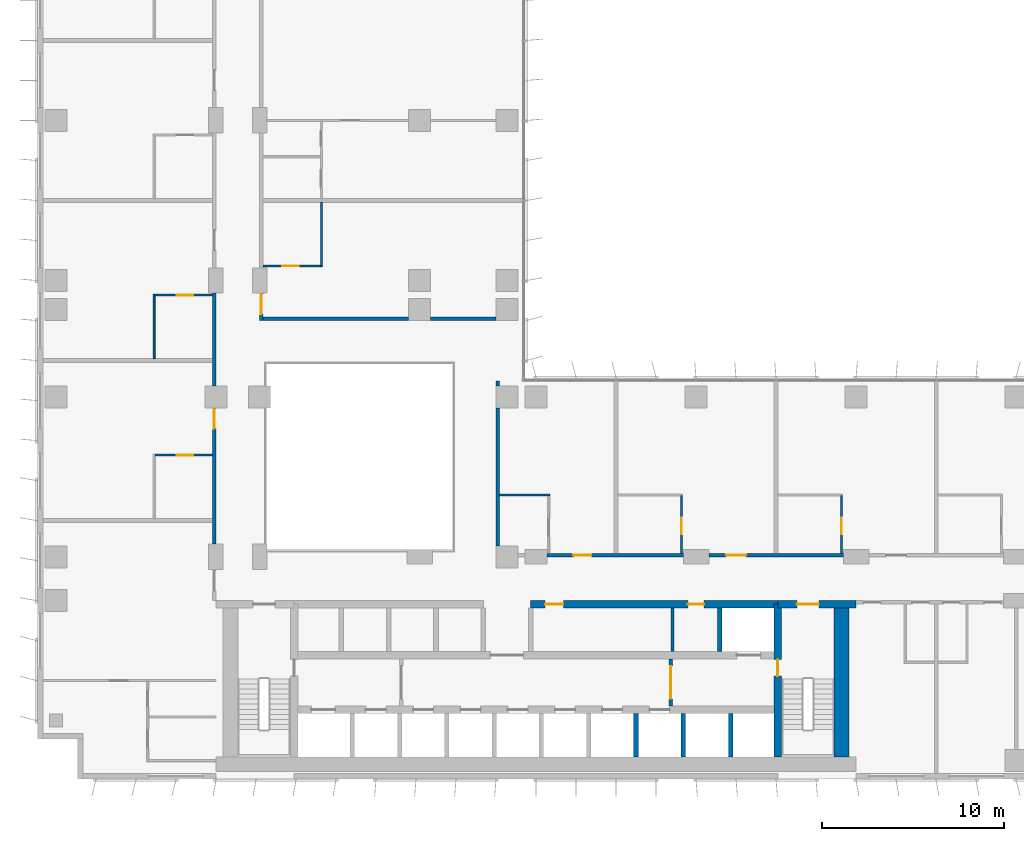
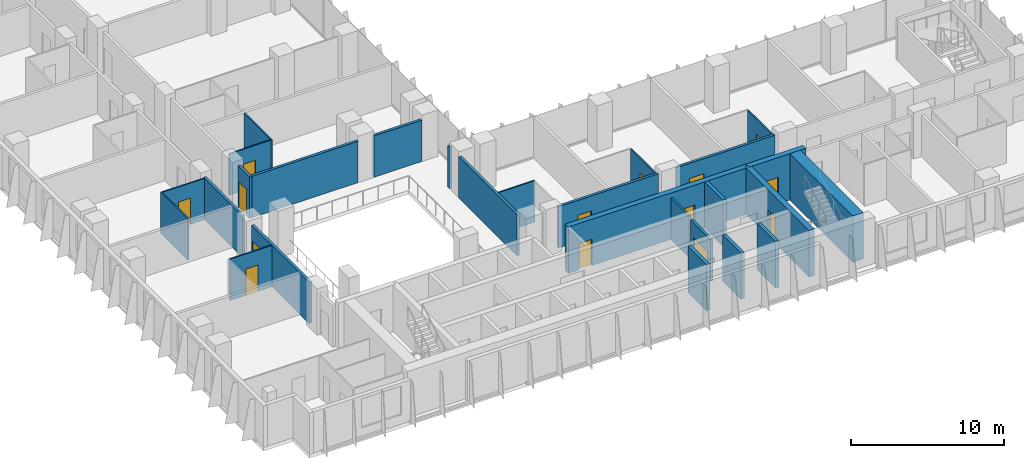
# One storey, part 13 of 22: 27 walls, 14 doors, 14 openings.
"""IFC4 building model written with IfcOpenShell, lengths in metres."""

from ifc_helpers import new_model, si_unit, direction, frame, frame_2d, origin, place, context, subcontext, project, spatial, rectangle, extrude, material, layer, layer_set, type_object, element, fill, save


model = new_model("IFC4")

# Units and contexts
model_context = context("Model", 3, precision=1e-05, world=origin(), true_north=direction((0.0, 1.0)))
body_context = subcontext(model_context, "Body", "Model", "MODEL_VIEW")
ifc_project = project(units=[si_unit("LENGTHUNIT", "METRE"), si_unit("AREAUNIT", "SQUARE_METRE"), si_unit("VOLUMEUNIT", "CUBIC_METRE"), si_unit("PLANEANGLEUNIT", "RADIAN"), si_unit("MASSUNIT", "GRAM", prefix="KILO")], contexts=[model_context])

# Site, building, storey
site_placement = place(None, origin())
site = spatial("IfcSite", under=ifc_project, at=site_placement, CompositionType="ELEMENT")
building_placement = place(site_placement, origin())
building = spatial("IfcBuilding", under=site, at=building_placement, Name="Kemantara Hotel Tower", CompositionType="ELEMENT")
storey_placement = place(building_placement, frame((0.0, 0.0, 98.199951171875)))
storey = spatial("IfcBuildingStorey", under=building, at=storey_placement, Name="L23", CompositionType="ELEMENT", Elevation=98.199951171875)

# Walls
ifc_material_1 = material(Name="Concrete fc 70 MPa", Category="concrete")
ifc_layer_1 = layer(ifc_material_1, 0.25)
ifc_layer_set_1 = layer_set([ifc_layer_1], Name="Concrete fc 70 MPa")
wall_type_1 = type_object("IfcWallType", Name="CORE WALL 250 FC70", PredefinedType="SHEAR", material=ifc_layer_set_1)
for number, where, z_axis, x_axis, name in (
    (1, (32.89990234375, 1.199951171875, 0.0), (0.0, 0.0, 1.0), (0.0, 1.0, 0.0), "CORE WALL CW-DS32.9"),
    (2, (35.5, 1.199951171875, 0.0), (0.0, 0.0, 1.0), (0.0, 1.0, 0.0), "CORE WALL CW-DS35.5"),
    (3, (38.10009765625, 1.199951171875, 0.0), (0.0, 0.0, 1.0), (0.0, 1.0, 0.0), "CORE WALL CW-DS38.1"),
):
    element("IfcWall", number, at=place(storey_placement, frame(where, z_axis=z_axis, x_axis=x_axis)), inside=storey, type_object=wall_type_1, Name=name, PredefinedType="SHEAR", context=body_context, shape_type="SweptSolid", body=[
        extrude(rectangle(XDim=2.400146484375, YDim=0.25, at=frame_2d((1.2001953125, 0.0))), origin(), (0.0, 0.0, 1.0), 3.699951171875),
    ])
wall_1_placement = place(storey_placement, frame((37.5, 7.0, 0.0), z_axis=(0.0, 0.0, 1.0), x_axis=(0.0, 1.0, 0.0)))
element("IfcWall", 4, at=wall_1_placement, inside=storey, type_object=wall_type_1, Name="CORE WALL CW-DN37.5", PredefinedType="SHEAR", context=body_context, shape_type="SweptSolid", body=[
    extrude(rectangle(XDim=2.39990234375, YDim=0.25, at=frame_2d((1.199951171875, 0.0))), origin(), (0.0, 0.0, 1.0), 3.699951171875),
])

# Wall, opening, door
ifc_layer_2 = layer(ifc_material_1, 0.39990234375)
ifc_layer_set_2 = layer_set([ifc_layer_2], Name="Concrete fc 70 MPa")
wall_type_2 = type_object("IfcWallType", Name="CORE WALL 400 FC70", PredefinedType="SHEAR", material=ifc_layer_set_2)
wall_2_placement = place(storey_placement, frame((40.699951171875, 9.60009765625, 0.0), z_axis=(0.0, 0.0, 1.0), x_axis=(1.0, 0.0, 0.0)))
wall_2 = element("IfcWall", 5, at=wall_2_placement, inside=storey, type_object=wall_type_2, Name="CORE WALL CW-N2", PredefinedType="SHEAR", context=body_context, shape_type="SweptSolid", body=[
    extrude(rectangle(XDim=4.300048828125, YDim=0.39990234375, at=frame_2d((2.14990234375, 0.0))), origin(), (0.0, 0.0, 1.0), 3.699951171875),
])
opening_1_placement = place(wall_2_placement, frame((1.050048828125, 0.0, 0.0)))
opening_1 = element("IfcOpeningElement", 6, at=opening_1_placement, cuts=wall_2, Name="Opening C16-ST2-C", PredefinedType="OPENING", context=body_context, shape_type="SweptSolid", body=[
    extrude(rectangle(XDim=1.199951171875, YDim=2.10009765625, at=frame_2d((0.60009765625, 1.050048828125))), frame((0.0, 0.2099609375, 0.0), z_axis=(0.0, -1.0, 0.0), x_axis=(1.0, 0.0, 0.0)), (0.0, 0.0, 1.0), 0.419921875),
])
ifc_material_2 = material(Name="Steel fire door", Category="steel")
door_type_1 = type_object("IfcDoorType", Name="Fire door FD90 1200 x 2100", OperationType="NOTDEFINED", PredefinedType="DOOR", material=ifc_material_2)
door_1_placement = place(opening_1_placement, frame((1.199951171875, 0.0, 0.0), z_axis=(0.0, 0.0, 1.0), x_axis=(-1.0, 0.0, 0.0)))
door_1 = element("IfcDoor", 7, at=door_1_placement, inside=storey, type_object=door_type_1, Name="Stair ST2 door to corridor", OperationType="SINGLE_SWING_RIGHT", OverallHeight=2.10009765625, OverallWidth=1.199951171875, PredefinedType="DOOR", context=body_context, shape_type="SweptSolid", body=[
    extrude(rectangle(XDim=1.199951171875, YDim=2.10009765625, at=frame_2d((0.60009765625, 1.050048828125))), frame((0.0, 0.02490234375, 0.0), z_axis=(0.0, -1.0, 0.0), x_axis=(1.0, 0.0, 0.0)), (0.0, 0.0, 1.0), 0.050048828125),
])
fill(opening_1, door_1)

# Wall, openings, doors
wall_3_placement = place(storey_placement, frame((27.10009765625, 9.60009765625, 0.0), z_axis=(0.0, 0.0, 1.0), x_axis=(1.0, 0.0, 0.0)))
wall_3 = element("IfcWall", 8, at=wall_3_placement, inside=storey, type_object=wall_type_2, Name="CORE WALL CW-NN2", PredefinedType="SHEAR", context=body_context, shape_type="SweptSolid", body=[
    extrude(rectangle(XDim=13.599853515625, YDim=0.39990234375, at=frame_2d((6.7998046875, 0.0))), origin(), (0.0, 0.0, 1.0), 3.699951171875),
])
opening_2_placement = place(wall_3_placement, frame((0.800048828125, 0.0, 0.0)))
opening_2 = element("IfcOpeningElement", 9, at=opening_2_placement, cuts=wall_3, Name="Opening C16-R-NE1", PredefinedType="OPENING", context=body_context, shape_type="SweptSolid", body=[
    extrude(rectangle(XDim=1.0, YDim=2.10009765625, at=frame_2d((0.5, 1.050048828125))), frame((0.0, 0.2099609375, 0.0), z_axis=(0.0, -1.0, 0.0), x_axis=(1.0, 0.0, 0.0)), (0.0, 0.0, 1.0), 0.419921875),
])
opening_3_placement = place(wall_3_placement, frame((8.64990234375, 0.0, 0.0)))
opening_3 = element("IfcOpeningElement", 10, at=opening_3_placement, cuts=wall_3, Name="Opening C16-R-NE2", PredefinedType="OPENING", context=body_context, shape_type="SweptSolid", body=[
    extrude(rectangle(XDim=0.89990234375, YDim=2.10009765625, at=frame_2d((0.449951171875, 1.050048828125))), frame((0.0, 0.2099609375, 0.0), z_axis=(0.0, -1.0, 0.0), x_axis=(1.0, 0.0, 0.0)), (0.0, 0.0, 1.0), 0.419921875),
])
door_type_2 = type_object("IfcDoorType", Name="Fire door FD30S 1000 x 2100", OperationType="NOTDEFINED", PredefinedType="DOOR", material=ifc_material_2)
door_2_placement = place(opening_2_placement, frame((1.0, 0.0, 0.0), z_axis=(0.0, 0.0, 1.0), x_axis=(-1.0, 0.0, 0.0)))
door_2 = element("IfcDoor", 11, at=door_2_placement, inside=storey, type_object=door_type_2, Name="Linen Store door", OperationType="SINGLE_SWING_RIGHT", OverallHeight=2.10009765625, OverallWidth=1.0, PredefinedType="DOOR", context=body_context, shape_type="SweptSolid", body=[
    extrude(rectangle(XDim=1.0, YDim=2.10009765625, at=frame_2d((0.5, 1.050048828125))), frame((0.0, 0.02490234375, 0.0), z_axis=(0.0, -1.0, 0.0), x_axis=(1.0, 0.0, 0.0)), (0.0, 0.0, 1.0), 0.050048828125),
])
fill(opening_2, door_2)
door_type_3 = type_object("IfcDoorType", Name="Fire door FD60 900 x 2100", OperationType="NOTDEFINED", PredefinedType="DOOR", material=ifc_material_2)
door_3_placement = place(opening_3_placement, frame((0.89990234375, 0.0, 0.0), z_axis=(0.0, 0.0, 1.0), x_axis=(-1.0, 0.0, 0.0)))
door_3 = element("IfcDoor", 12, at=door_3_placement, inside=storey, type_object=door_type_3, Name="It Equipment Room door", OperationType="SINGLE_SWING_LEFT", OverallHeight=2.10009765625, OverallWidth=0.89990234375, PredefinedType="DOOR", context=body_context, shape_type="SweptSolid", body=[
    extrude(rectangle(XDim=0.89990234375, YDim=2.10009765625, at=frame_2d((0.449951171875, 1.050048828125))), frame((0.0, 0.02490234375, 0.0), z_axis=(0.0, -1.0, 0.0), x_axis=(1.0, 0.0, 0.0)), (0.0, 0.0, 1.0), 0.050048828125),
])
fill(opening_3, door_3)

# Wall, opening, door
wall_4_placement = place(storey_placement, frame((40.699951171875, 1.199951171875, 0.0), z_axis=(0.0, 0.0, 1.0), x_axis=(0.0, 1.0, 0.0)))
wall_4 = element("IfcWall", 13, at=wall_4_placement, inside=storey, type_object=wall_type_2, Name="CORE WALL CW-ST2W", PredefinedType="SHEAR", context=body_context, shape_type="SweptSolid", body=[
    extrude(rectangle(XDim=8.400146484375, YDim=0.39990234375, at=frame_2d((4.2001953125, 0.0))), origin(), (0.0, 0.0, 1.0), 3.699951171875),
])
opening_4_placement = place(wall_4_placement, frame((4.449951171875, 0.0, 0.0)))
opening_4 = element("IfcOpeningElement", 14, at=opening_4_placement, cuts=wall_4, Name="Opening C16-ST2-F", PredefinedType="OPENING", context=body_context, shape_type="SweptSolid", body=[
    extrude(rectangle(XDim=0.89990234375, YDim=2.10009765625, at=frame_2d((0.449951171875, 1.050048828125))), frame((0.0, 0.2099609375, 0.0), z_axis=(0.0, -1.0, 0.0), x_axis=(1.0, 0.0, 0.0)), (0.0, 0.0, 1.0), 0.419921875),
])
door_type_4 = type_object("IfcDoorType", Name="Fire door FD90 900 x 2100", OperationType="NOTDEFINED", PredefinedType="DOOR", material=ifc_material_2)
door_4_placement = place(opening_4_placement, frame((0.89990234375, 0.0, 0.0), z_axis=(0.0, 0.0, 1.0), x_axis=(-1.0, 0.0, 0.0)))
door_4 = element("IfcDoor", 15, at=door_4_placement, inside=storey, type_object=door_type_4, Name="Stair ST2 door to firefighting lobby", OperationType="SINGLE_SWING_LEFT", OverallHeight=2.10009765625, OverallWidth=0.89990234375, PredefinedType="DOOR", context=body_context, shape_type="SweptSolid", body=[
    extrude(rectangle(XDim=0.89990234375, YDim=2.10009765625, at=frame_2d((0.449951171875, 1.050048828125))), frame((0.0, 0.02490234375, 0.0), z_axis=(0.0, -1.0, 0.0), x_axis=(1.0, 0.0, 0.0)), (0.0, 0.0, 1.0), 0.050048828125),
])
fill(opening_4, door_4)

# Wall
ifc_layer_3 = layer(ifc_material_1, 0.800048828125)
ifc_layer_set_3 = layer_set([ifc_layer_3], Name="Concrete fc 70 MPa")
wall_type_3 = type_object("IfcWallType", Name="CORE WALL 800 FC70", PredefinedType="SHEAR", material=ifc_layer_set_3)
wall_5_placement = place(storey_placement, frame((44.199951171875, 1.199951171875, 0.0), z_axis=(0.0, 0.0, 1.0), x_axis=(0.0, 1.0, 0.0)))
element("IfcWall", 16, at=wall_5_placement, inside=storey, type_object=wall_type_3, Name="CORE WALL CW-E", PredefinedType="SHEAR", context=body_context, shape_type="SweptSolid", body=[
    extrude(rectangle(XDim=8.60009765625, YDim=0.800048828125, at=frame_2d((4.300048828125, 0.0))), origin(), (0.0, 0.0, 1.0), 3.699951171875),
])

# Wall, opening, door
ifc_material_3 = material(Name="Gypsum board partition, steel studs and mineral wool, 200 mm", Category="steel")
ifc_layer_4 = layer(ifc_material_3, 0.199951171875)
ifc_layer_set_4 = layer_set([ifc_layer_4], Name="Gypsum board partition, steel studs and mineral wool, 200 mm")
wall_type_4 = type_object("IfcWallType", Name="CORRIDOR WALL 200", PredefinedType="PARTITIONING", material=ifc_layer_set_4)
wall_6_placement = place(storey_placement, frame((28.0, 12.300048828125, 0.0), z_axis=(0.0, 0.0, 1.0), x_axis=(1.0, 0.0, 0.0)))
wall_6 = element("IfcWall", 17, at=wall_6_placement, inside=storey, type_object=wall_type_4, Name="CORRIDOR WALL 200 007", PredefinedType="PARTITIONING", context=body_context, shape_type="SweptSolid", body=[
    extrude(rectangle(XDim=7.5, YDim=0.199951171875, at=frame_2d((3.75, 0.0))), origin(), (0.0, 0.0, 1.0), 3.300048828125),
])
opening_5_placement = place(wall_6_placement, frame((1.449951171875, 0.0, 0.0)))
opening_5 = element("IfcOpeningElement", 18, at=opening_5_placement, cuts=wall_6, Name="Opening F09-007", PredefinedType="OPENING", context=body_context, shape_type="SweptSolid", body=[
    extrude(rectangle(XDim=1.0, YDim=2.10009765625, at=frame_2d((0.5, 1.050048828125))), frame((0.0, 0.10986328125, 0.0), z_axis=(0.0, -1.0, 0.0), x_axis=(1.0, 0.0, 0.0)), (0.0, 0.0, 1.0), 0.219970703125),
])
ifc_material_4 = material(Name="Hardwood veneer door leaf with steel frame", Category="steel")
door_type_5 = type_object("IfcDoorType", Name="GUEST ROOM DOOR 1000 X 2100 FD30S", OperationType="NOTDEFINED", PredefinedType="DOOR", material=ifc_material_4)
door_5_placement = place(opening_5_placement, origin())
door_5 = element("IfcDoor", 19, at=door_5_placement, inside=storey, type_object=door_type_5, Name="GUEST ROOM DOOR F09-007", OperationType="SINGLE_SWING_RIGHT", OverallHeight=2.10009765625, OverallWidth=1.0, PredefinedType="DOOR", context=body_context, shape_type="SweptSolid", body=[
    extrude(rectangle(XDim=1.0, YDim=2.10009765625, at=frame_2d((0.5, 1.050048828125))), frame((0.0, 0.02490234375, 0.0), z_axis=(0.0, -1.0, 0.0), x_axis=(1.0, 0.0, 0.0)), (0.0, 0.0, 1.0), 0.050048828125),
])
fill(opening_5, door_5)

wall_7_placement = place(storey_placement, frame((36.900146484375, 12.300048828125, 0.0), z_axis=(0.0, 0.0, 1.0), x_axis=(1.0, 0.0, 0.0)))
wall_7 = element("IfcWall", 20, at=wall_7_placement, inside=storey, type_object=wall_type_4, Name="CORRIDOR WALL 200 008", PredefinedType="PARTITIONING", context=body_context, shape_type="SweptSolid", body=[
    extrude(rectangle(XDim=7.399658203125, YDim=0.199951171875, at=frame_2d((3.69970703125, 0.0))), origin(), (0.0, 0.0, 1.0), 3.300048828125),
])
opening_6_placement = place(wall_7_placement, frame((0.949951171875, 0.0, 0.0)))
opening_6 = element("IfcOpeningElement", 21, at=opening_6_placement, cuts=wall_7, Name="Opening F09-009", PredefinedType="OPENING", context=body_context, shape_type="SweptSolid", body=[
    extrude(rectangle(XDim=1.10009765625, YDim=2.10009765625, at=frame_2d((0.550048828125, 1.050048828125))), frame((0.0, 0.10986328125, 0.0), z_axis=(0.0, -1.0, 0.0), x_axis=(1.0, 0.0, 0.0)), (0.0, 0.0, 1.0), 0.219970703125),
])
door_type_6 = type_object("IfcDoorType", Name="SUITE ENTRANCE DOOR 1100 X 2100 FD30S", OperationType="NOTDEFINED", PredefinedType="DOOR", material=ifc_material_4)
door_6_placement = place(opening_6_placement, origin())
door_6 = element("IfcDoor", 22, at=door_6_placement, inside=storey, type_object=door_type_6, Name="SUITE ENTRANCE DOOR F09-009", OperationType="SINGLE_SWING_RIGHT", OverallHeight=2.10009765625, OverallWidth=1.10009765625, PredefinedType="DOOR", context=body_context, shape_type="SweptSolid", body=[
    extrude(rectangle(XDim=1.10009765625, YDim=2.10009765625, at=frame_2d((0.550048828125, 1.050048828125))), frame((0.0, 0.02490234375, 0.0), z_axis=(0.0, -1.0, 0.0), x_axis=(1.0, 0.0, 0.0)), (0.0, 0.0, 1.0), 0.050048828125),
])
fill(opening_6, door_6)

wall_8_placement = place(storey_placement, frame((9.699951171875, 12.900146484375, 0.0), z_axis=(0.0, 0.0, 1.0), x_axis=(0.0, 1.0, 0.0)))
wall_8 = element("IfcWall", 23, at=wall_8_placement, inside=storey, type_object=wall_type_4, Name="CORRIDOR WALL 200 016", PredefinedType="PARTITIONING", context=body_context, shape_type="SweptSolid", body=[
    extrude(rectangle(XDim=7.499755859375, YDim=0.199951171875, at=frame_2d((3.75, 0.0))), origin(), (0.0, 0.0, 1.0), 3.300048828125),
])
opening_7_placement = place(wall_8_placement, frame((6.349853515625, 0.0, 0.0)))
opening_7 = element("IfcOpeningElement", 24, at=opening_7_placement, cuts=wall_8, Name="Opening F09-019", PredefinedType="OPENING", context=body_context, shape_type="SweptSolid", body=[
    extrude(rectangle(XDim=1.10009765625, YDim=2.10009765625, at=frame_2d((0.550048828125, 1.050048828125))), frame((0.0, 0.10986328125, 0.0), z_axis=(0.0, -1.0, 0.0), x_axis=(1.0, 0.0, 0.0)), (0.0, 0.0, 1.0), 0.219970703125),
])
door_7_placement = place(opening_7_placement, origin())
door_7 = element("IfcDoor", 25, at=door_7_placement, inside=storey, type_object=door_type_6, Name="SUITE ENTRANCE DOOR F09-019", OperationType="SINGLE_SWING_RIGHT", OverallHeight=2.10009765625, OverallWidth=1.10009765625, PredefinedType="DOOR", context=body_context, shape_type="SweptSolid", body=[
    extrude(rectangle(XDim=1.10009765625, YDim=2.10009765625, at=frame_2d((0.550048828125, 1.050048828125))), frame((0.0, 0.02490234375, 0.0), z_axis=(0.0, -1.0, 0.0), x_axis=(1.0, 0.0, 0.0)), (0.0, 0.0, 1.0), 0.050048828125),
])
fill(opening_7, door_7)

# Wall
wall_9_placement = place(storey_placement, frame((9.699951171875, 21.60009765625, 0.0), z_axis=(0.0, 0.0, 1.0), x_axis=(0.0, 1.0, 0.0)))
element("IfcWall", 26, at=wall_9_placement, inside=storey, type_object=wall_type_4, Name="CORRIDOR WALL 200 017", PredefinedType="PARTITIONING", context=body_context, shape_type="SweptSolid", body=[
    extrude(rectangle(XDim=5.099853515625, YDim=0.199951171875, at=frame_2d((2.5498046875, 0.0))), origin(), (0.0, 0.0, 1.0), 3.300048828125),
])

# Wall, opening, door
wall_10_placement = place(storey_placement, frame((12.300048828125, 26.699951171875, 0.0), z_axis=(0.0, 0.0, 1.0), x_axis=(0.0, -1.0, 0.0)))
wall_10 = element("IfcWall", 27, at=wall_10_placement, inside=storey, type_object=wall_type_4, Name="CORRIDOR WALL 200 030", PredefinedType="PARTITIONING", context=body_context, shape_type="SweptSolid", body=[
    extrude(rectangle(XDim=1.5, YDim=0.199951171875, at=frame_2d((0.75, 0.0))), origin(), (0.0, 0.0, 1.0), 3.300048828125),
])
opening_8_placement = place(wall_10_placement, frame((0.0498046875, 0.0, 0.0)))
opening_8 = element("IfcOpeningElement", 28, at=opening_8_placement, cuts=wall_10, Name="Opening F09-033", PredefinedType="OPENING", context=body_context, shape_type="SweptSolid", body=[
    extrude(rectangle(XDim=1.10009765625, YDim=2.10009765625, at=frame_2d((0.550048828125, 1.050048828125))), frame((0.0, 0.10986328125, 0.0), z_axis=(0.0, -1.0, 0.0), x_axis=(1.0, 0.0, 0.0)), (0.0, 0.0, 1.0), 0.219970703125),
])
door_8_placement = place(opening_8_placement, origin())
door_8 = element("IfcDoor", 29, at=door_8_placement, inside=storey, type_object=door_type_6, Name="SUITE ENTRANCE DOOR F09-033", OperationType="SINGLE_SWING_RIGHT", OverallHeight=2.10009765625, OverallWidth=1.10009765625, PredefinedType="DOOR", context=body_context, shape_type="SweptSolid", body=[
    extrude(rectangle(XDim=1.10009765625, YDim=2.10009765625, at=frame_2d((0.550048828125, 1.050048828125))), frame((0.0, 0.02490234375, 0.0), z_axis=(0.0, -1.0, 0.0), x_axis=(1.0, 0.0, 0.0)), (0.0, 0.0, 1.0), 0.050048828125),
])
fill(opening_8, door_8)

# Walls
ifc_layer_5 = layer(ifc_material_3, 0.199951171875)
ifc_layer_set_5 = layer_set([ifc_layer_5], Name="Gypsum board partition, steel studs and mineral wool, 200 mm")
wall_type_5 = type_object("IfcWallType", Name="GUEST ROOM PARTY WALL 200", PredefinedType="PARTITIONING", material=ifc_layer_set_5)
wall_11_placement = place(storey_placement, frame((25.300048828125, 12.800048828125, 0.0), z_axis=(0.0, 0.0, 1.0), x_axis=(0.0, 1.0, 0.0)))
element("IfcWall", 30, at=wall_11_placement, inside=storey, type_object=wall_type_5, Name="GUEST ROOM PARTY WALL 200 011", PredefinedType="PARTITIONING", context=body_context, shape_type="SweptSolid", body=[
    extrude(rectangle(XDim=7.599853515625, YDim=0.199951171875, at=frame_2d((3.7998046875, 0.0))), origin(), (0.0, 0.0, 1.0), 3.300048828125),
])
wall_12_placement = place(storey_placement, frame((25.300048828125, 21.60009765625, 0.0), z_axis=(0.0, 0.0, 1.0), x_axis=(0.0, 1.0, 0.0)))
element("IfcWall", 31, at=wall_12_placement, inside=storey, type_object=wall_type_5, Name="GUEST ROOM PARTY WALL 200 012", PredefinedType="PARTITIONING", context=body_context, shape_type="SweptSolid", body=[
    extrude(rectangle(XDim=0.27001953125, YDim=0.199951171875, at=frame_2d((0.135009765625, 0.0))), origin(), (0.0, 0.0, 1.0), 3.300048828125),
])
wall_13_placement = place(storey_placement, frame((12.39990234375, 25.300048828125, 0.0), z_axis=(0.0, 0.0, 1.0), x_axis=(1.0, 0.0, 0.0)))
element("IfcWall", 32, at=wall_13_placement, inside=storey, type_object=wall_type_5, Name="GUEST ROOM PARTY WALL 200 037", PredefinedType="PARTITIONING", context=body_context, shape_type="SweptSolid", body=[
    extrude(rectangle(XDim=8.0, YDim=0.199951171875, at=frame_2d((4.0, 0.0))), origin(), (0.0, 0.0, 1.0), 3.300048828125),
])
wall_14_placement = place(storey_placement, frame((21.60009765625, 25.300048828125, 0.0), z_axis=(0.0, 0.0, 1.0), x_axis=(1.0, 0.0, 0.0)))
element("IfcWall", 33, at=wall_14_placement, inside=storey, type_object=wall_type_5, Name="GUEST ROOM PARTY WALL 200 038", PredefinedType="PARTITIONING", context=body_context, shape_type="SweptSolid", body=[
    extrude(rectangle(XDim=3.599853515625, YDim=0.199951171875, at=frame_2d((1.7998046875, 0.0))), origin(), (0.0, 0.0, 1.0), 3.300048828125),
])
ifc_material_5 = material(Name="Gypsum board partition")
ifc_layer_6 = layer(ifc_material_5, 0.14990234375)
ifc_layer_set_6 = layer_set([ifc_layer_6], Name="Gypsum board partition")
wall_type_6 = type_object("IfcWallType", Name="Gypsum board partition 150 mm", PredefinedType="PARTITIONING", material=ifc_layer_set_6)
wall_15_placement = place(storey_placement, frame((34.89990234375, 7.0, 0.0), z_axis=(0.0, 0.0, 1.0), x_axis=(0.0, 1.0, 0.0)))
element("IfcWall", 34, at=wall_15_placement, inside=storey, type_object=wall_type_6, Name="Core room partition", PredefinedType="PARTITIONING", context=body_context, shape_type="SweptSolid", body=[
    extrude(rectangle(XDim=2.39990234375, YDim=0.14990234375, at=frame_2d((1.199951171875, 0.0))), origin(), (0.0, 0.0, 1.0), 3.300048828125),
])

# Wall, opening, door
ifc_material_6 = material(Name="Gypsum board shaft wall")
ifc_layer_7 = layer(ifc_material_6, 0.199951171875)
ifc_layer_set_7 = layer_set([ifc_layer_7], Name="Gypsum board shaft wall")
wall_type_7 = type_object("IfcWallType", Name="Gypsum board shaft wall 200 mm", PredefinedType="PARTITIONING", material=ifc_layer_set_7)
wall_16_placement = place(storey_placement, frame((34.800048828125, 4.0, 0.0), z_axis=(0.0, 0.0, 1.0), x_axis=(0.0, 1.0, 0.0)))
wall_16 = element("IfcWall", 35, at=wall_16_placement, inside=storey, type_object=wall_type_7, Name="Firefighting lobby partition east", PredefinedType="PARTITIONING", context=body_context, shape_type="SweptSolid", body=[
    extrude(rectangle(XDim=2.60009765625, YDim=0.199951171875, at=frame_2d((1.300048828125, 0.0))), origin(), (0.0, 0.0, 1.0), 3.300048828125),
])
opening_9_placement = place(wall_16_placement, frame((0.39990234375, 0.0, 0.0)))
opening_9 = element("IfcOpeningElement", 36, at=opening_9_placement, cuts=wall_16, Name="Opening C16-FFE", PredefinedType="OPENING", context=body_context, shape_type="SweptSolid", body=[
    extrude(rectangle(XDim=1.800048828125, YDim=2.10009765625, at=frame_2d((0.89990234375, 1.050048828125))), frame((0.0, 0.10986328125, 0.0), z_axis=(0.0, -1.0, 0.0), x_axis=(1.0, 0.0, 0.0)), (0.0, 0.0, 1.0), 0.219970703125),
])
door_type_7 = type_object("IfcDoorType", Name="Fire door pair FD60 1800 x 2100", OperationType="DOUBLE_DOOR_SINGLE_SWING", PredefinedType="DOOR", material=ifc_material_2)
door_9_placement = place(opening_9_placement, frame((1.800048828125, 0.0, 0.0), z_axis=(0.0, 0.0, 1.0), x_axis=(-1.0, 0.0, 0.0)))
door_9 = element("IfcDoor", 37, at=door_9_placement, inside=storey, type_object=door_type_7, Name="Firefighting lobby door east", OperationType="DOUBLE_DOOR_SINGLE_SWING", OverallHeight=2.10009765625, OverallWidth=1.800048828125, PredefinedType="DOOR", context=body_context, shape_type="SweptSolid", body=[
    extrude(rectangle(XDim=1.800048828125, YDim=2.10009765625, at=frame_2d((0.89990234375, 1.050048828125))), frame((0.0, 0.02490234375, 0.0), z_axis=(0.0, -1.0, 0.0), x_axis=(1.0, 0.0, 0.0)), (0.0, 0.0, 1.0), 0.050048828125),
])
fill(opening_9, door_9)

# Wall
ifc_material_7 = material(Name="Gypsum board partition on steel studs, 100 mm", Category="steel")
ifc_layer_8 = layer(ifc_material_7, 0.10009765625)
ifc_layer_set_8 = layer_set([ifc_layer_8], Name="Gypsum board partition on steel studs, 100 mm")
wall_type_8 = type_object("IfcWallType", Name="ROOM PARTITION 100", PredefinedType="PARTITIONING", material=ifc_layer_set_8)
wall_17_placement = place(storey_placement, frame((25.39990234375, 15.60009765625, 0.0), z_axis=(0.0, 0.0, 1.0), x_axis=(1.0, 0.0, 0.0)))
element("IfcWall", 38, at=wall_17_placement, inside=storey, type_object=wall_type_8, Name="ROOM PARTITION 100 050", PredefinedType="PARTITIONING", context=body_context, shape_type="SweptSolid", body=[
    extrude(rectangle(XDim=2.75, YDim=0.10009765625, at=frame_2d((1.375, 0.0))), origin(), (0.0, 0.0, 1.0), 3.300048828125),
])

# Wall, opening, door
wall_18_placement = place(storey_placement, frame((35.39990234375, 12.39990234375, 0.0), z_axis=(0.0, 0.0, 1.0), x_axis=(0.0, 1.0, 0.0)))
wall_18 = element("IfcWall", 39, at=wall_18_placement, inside=storey, type_object=wall_type_8, Name="ROOM PARTITION 100 055", PredefinedType="PARTITIONING", context=body_context, shape_type="SweptSolid", body=[
    extrude(rectangle(XDim=3.150146484375, YDim=0.10009765625, at=frame_2d((1.5751953125, 0.0))), origin(), (0.0, 0.0, 1.0), 3.300048828125),
])
opening_10_placement = place(wall_18_placement, frame((1.050048828125, 0.0, 0.0)))
opening_10 = element("IfcOpeningElement", 40, at=opening_10_placement, cuts=wall_18, Name="Opening F09-010", PredefinedType="OPENING", context=body_context, shape_type="SweptSolid", body=[
    extrude(rectangle(XDim=0.89990234375, YDim=2.10009765625, at=frame_2d((0.449951171875, 1.050048828125))), frame((0.0, 0.06005859375, 0.0), z_axis=(0.0, -1.0, 0.0), x_axis=(1.0, 0.0, 0.0)), (0.0, 0.0, 1.0), 0.1201171875),
])
door_type_8 = type_object("IfcDoorType", Name="BATHROOM DOOR 900 X 2100", OperationType="NOTDEFINED", PredefinedType="DOOR", material=ifc_material_4)
door_10_placement = place(opening_10_placement, origin())
door_10 = element("IfcDoor", 41, at=door_10_placement, inside=storey, type_object=door_type_8, Name="BATHROOM DOOR F09-010", OperationType="SINGLE_SWING_LEFT", OverallHeight=2.10009765625, OverallWidth=0.89990234375, PredefinedType="DOOR", context=body_context, shape_type="SweptSolid", body=[
    extrude(rectangle(XDim=0.89990234375, YDim=2.10009765625, at=frame_2d((0.449951171875, 1.050048828125))), frame((0.0, 0.02490234375, 0.0), z_axis=(0.0, -1.0, 0.0), x_axis=(1.0, 0.0, 0.0)), (0.0, 0.0, 1.0), 0.050048828125),
])
fill(opening_10, door_10)

wall_19_placement = place(storey_placement, frame((44.199951171875, 12.39990234375, 0.0), z_axis=(0.0, 0.0, 1.0), x_axis=(0.0, 1.0, 0.0)))
wall_19 = element("IfcWall", 42, at=wall_19_placement, inside=storey, type_object=wall_type_8, Name="ROOM PARTITION 100 056", PredefinedType="PARTITIONING", context=body_context, shape_type="SweptSolid", body=[
    extrude(rectangle(XDim=3.150146484375, YDim=0.10009765625, at=frame_2d((1.5751953125, 0.0))), origin(), (0.0, 0.0, 1.0), 3.300048828125),
])
opening_11_placement = place(wall_19_placement, frame((1.050048828125, 0.0, 0.0)))
opening_11 = element("IfcOpeningElement", 43, at=opening_11_placement, cuts=wall_19, Name="Opening F09-012", PredefinedType="OPENING", context=body_context, shape_type="SweptSolid", body=[
    extrude(rectangle(XDim=0.89990234375, YDim=2.10009765625, at=frame_2d((0.449951171875, 1.050048828125))), frame((0.0, 0.06005859375, 0.0), z_axis=(0.0, -1.0, 0.0), x_axis=(1.0, 0.0, 0.0)), (0.0, 0.0, 1.0), 0.1201171875),
])
door_11_placement = place(opening_11_placement, origin())
door_11 = element("IfcDoor", 44, at=door_11_placement, inside=storey, type_object=door_type_8, Name="BATHROOM DOOR F09-012", OperationType="SINGLE_SWING_LEFT", OverallHeight=2.10009765625, OverallWidth=0.89990234375, PredefinedType="DOOR", context=body_context, shape_type="SweptSolid", body=[
    extrude(rectangle(XDim=0.89990234375, YDim=2.10009765625, at=frame_2d((0.449951171875, 1.050048828125))), frame((0.0, 0.02490234375, 0.0), z_axis=(0.0, -1.0, 0.0), x_axis=(1.0, 0.0, 0.0)), (0.0, 0.0, 1.0), 0.050048828125),
])
fill(opening_11, door_11)

# Wall
wall_20_placement = place(storey_placement, frame((6.39990234375, 23.10009765625, 0.0), z_axis=(0.0, 0.0, 1.0), x_axis=(0.0, 1.0, 0.0)))
element("IfcWall", 45, at=wall_20_placement, inside=storey, type_object=wall_type_8, Name="ROOM PARTITION 100 064", PredefinedType="PARTITIONING", context=body_context, shape_type="SweptSolid", body=[
    extrude(rectangle(XDim=3.5498046875, YDim=0.10009765625, at=frame_2d((1.77490234375, 0.0))), origin(), (0.0, 0.0, 1.0), 3.300048828125),
])

# Wall, opening, door
wall_21_placement = place(storey_placement, frame((9.60009765625, 17.800048828125, 0.0), z_axis=(0.0, 0.0, 1.0), x_axis=(-1.0, 0.0, 0.0)))
wall_21 = element("IfcWall", 46, at=wall_21_placement, inside=storey, type_object=wall_type_8, Name="ROOM PARTITION 100 069", PredefinedType="PARTITIONING", context=body_context, shape_type="SweptSolid", body=[
    extrude(rectangle(XDim=3.150146484375, YDim=0.10009765625, at=frame_2d((1.5751953125, 0.0))), origin(), (0.0, 0.0, 1.0), 3.300048828125),
])
opening_12_placement = place(wall_21_placement, frame((1.050048828125, 0.0, 0.0)))
opening_12 = element("IfcOpeningElement", 47, at=opening_12_placement, cuts=wall_21, Name="Opening F09-020", PredefinedType="OPENING", context=body_context, shape_type="SweptSolid", body=[
    extrude(rectangle(XDim=0.89990234375, YDim=2.10009765625, at=frame_2d((0.449951171875, 1.050048828125))), frame((0.0, 0.06005859375, 0.0), z_axis=(0.0, -1.0, 0.0), x_axis=(1.0, 0.0, 0.0)), (0.0, 0.0, 1.0), 0.1201171875),
])
door_12_placement = place(opening_12_placement, origin())
door_12 = element("IfcDoor", 48, at=door_12_placement, inside=storey, type_object=door_type_8, Name="BATHROOM DOOR F09-020", OperationType="SINGLE_SWING_LEFT", OverallHeight=2.10009765625, OverallWidth=0.89990234375, PredefinedType="DOOR", context=body_context, shape_type="SweptSolid", body=[
    extrude(rectangle(XDim=0.89990234375, YDim=2.10009765625, at=frame_2d((0.449951171875, 1.050048828125))), frame((0.0, 0.02490234375, 0.0), z_axis=(0.0, -1.0, 0.0), x_axis=(1.0, 0.0, 0.0)), (0.0, 0.0, 1.0), 0.050048828125),
])
fill(opening_12, door_12)

wall_22_placement = place(storey_placement, frame((9.60009765625, 26.60009765625, 0.0), z_axis=(0.0, 0.0, 1.0), x_axis=(-1.0, 0.0, 0.0)))
wall_22 = element("IfcWall", 49, at=wall_22_placement, inside=storey, type_object=wall_type_8, Name="ROOM PARTITION 100 070", PredefinedType="PARTITIONING", context=body_context, shape_type="SweptSolid", body=[
    extrude(rectangle(XDim=3.150146484375, YDim=0.10009765625, at=frame_2d((1.5751953125, 0.0))), origin(), (0.0, 0.0, 1.0), 3.300048828125),
])
opening_13_placement = place(wall_22_placement, frame((1.050048828125, 0.0, 0.0)))
opening_13 = element("IfcOpeningElement", 50, at=opening_13_placement, cuts=wall_22, Name="Opening F09-022", PredefinedType="OPENING", context=body_context, shape_type="SweptSolid", body=[
    extrude(rectangle(XDim=0.89990234375, YDim=2.10009765625, at=frame_2d((0.449951171875, 1.050048828125))), frame((0.0, 0.06005859375, 0.0), z_axis=(0.0, -1.0, 0.0), x_axis=(1.0, 0.0, 0.0)), (0.0, 0.0, 1.0), 0.1201171875),
])
door_13_placement = place(opening_13_placement, origin())
door_13 = element("IfcDoor", 51, at=door_13_placement, inside=storey, type_object=door_type_8, Name="BATHROOM DOOR F09-022", OperationType="SINGLE_SWING_LEFT", OverallHeight=2.10009765625, OverallWidth=0.89990234375, PredefinedType="DOOR", context=body_context, shape_type="SweptSolid", body=[
    extrude(rectangle(XDim=0.89990234375, YDim=2.10009765625, at=frame_2d((0.449951171875, 1.050048828125))), frame((0.0, 0.02490234375, 0.0), z_axis=(0.0, -1.0, 0.0), x_axis=(1.0, 0.0, 0.0)), (0.0, 0.0, 1.0), 0.050048828125),
])
fill(opening_13, door_13)

# Wall
wall_23_placement = place(storey_placement, frame((15.60009765625, 28.14990234375, 0.0), z_axis=(0.0, 0.0, 1.0), x_axis=(0.0, 1.0, 0.0)))
element("IfcWall", 52, at=wall_23_placement, inside=storey, type_object=wall_type_8, Name="ROOM PARTITION 100 077", PredefinedType="PARTITIONING", context=body_context, shape_type="SweptSolid", body=[
    extrude(rectangle(XDim=3.550048828125, YDim=0.10009765625, at=frame_2d((1.77490234375, 0.0))), origin(), (0.0, 0.0, 1.0), 3.300048828125),
])

# Wall, opening, door
wall_24_placement = place(storey_placement, frame((12.39990234375, 28.199951171875, 0.0), z_axis=(0.0, 0.0, 1.0), x_axis=(1.0, 0.0, 0.0)))
wall_24 = element("IfcWall", 53, at=wall_24_placement, inside=storey, type_object=wall_type_8, Name="ROOM PARTITION 100 081", PredefinedType="PARTITIONING", context=body_context, shape_type="SweptSolid", body=[
    extrude(rectangle(XDim=3.150146484375, YDim=0.10009765625, at=frame_2d((1.5751953125, 0.0))), origin(), (0.0, 0.0, 1.0), 3.300048828125),
])
opening_14_placement = place(wall_24_placement, frame((1.050048828125, 0.0, 0.0)))
opening_14 = element("IfcOpeningElement", 54, at=opening_14_placement, cuts=wall_24, Name="Opening F09-034", PredefinedType="OPENING", context=body_context, shape_type="SweptSolid", body=[
    extrude(rectangle(XDim=0.89990234375, YDim=2.10009765625, at=frame_2d((0.449951171875, 1.050048828125))), frame((0.0, 0.06005859375, 0.0), z_axis=(0.0, -1.0, 0.0), x_axis=(1.0, 0.0, 0.0)), (0.0, 0.0, 1.0), 0.1201171875),
])
door_14_placement = place(opening_14_placement, origin())
door_14 = element("IfcDoor", 55, at=door_14_placement, inside=storey, type_object=door_type_8, Name="BATHROOM DOOR F09-034", OperationType="SINGLE_SWING_LEFT", OverallHeight=2.10009765625, OverallWidth=0.89990234375, PredefinedType="DOOR", context=body_context, shape_type="SweptSolid", body=[
    extrude(rectangle(XDim=0.89990234375, YDim=2.10009765625, at=frame_2d((0.449951171875, 1.050048828125))), frame((0.0, 0.02490234375, 0.0), z_axis=(0.0, -1.0, 0.0), x_axis=(1.0, 0.0, 0.0)), (0.0, 0.0, 1.0), 0.050048828125),
])
fill(opening_14, door_14)

save(model, "model.ifc")
